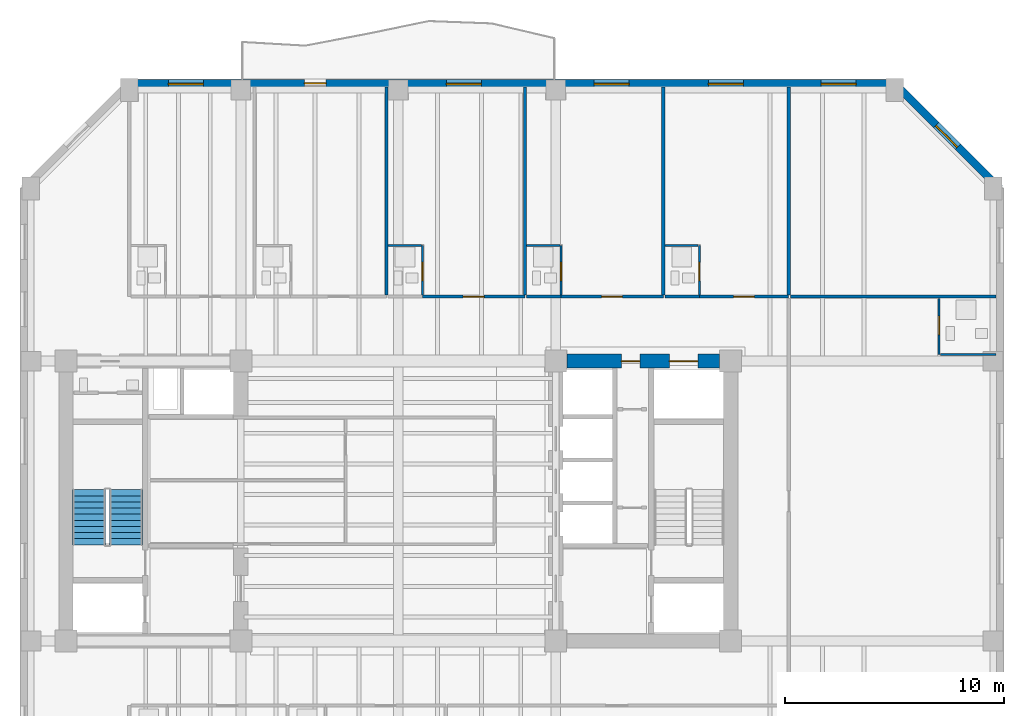
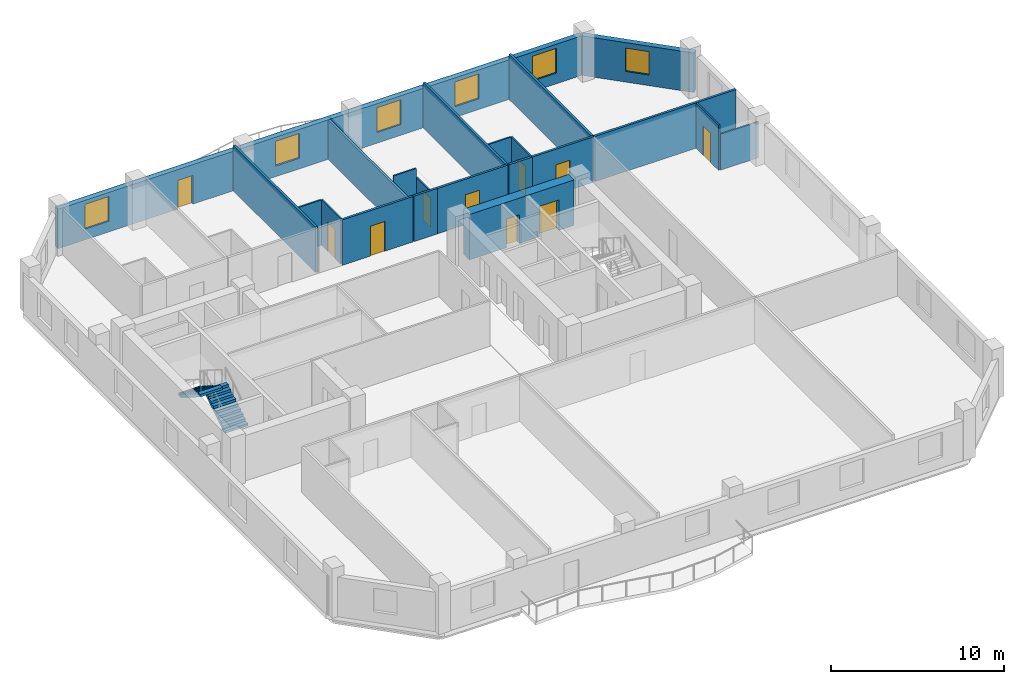
# One storey, part 5 of 10: 21 walls, 10 doors, 6 windows, 2 stair flights, 16 openings, 1 element without a shape of its own.
"""IFC4 building model written with IfcOpenShell, lengths in metres."""

from ifc_helpers import new_model, si_unit, direction, frame, frame_2d, origin, place, context, subcontext, project, spatial, polyline, rectangle, outline, extrude, material, layer, layer_set, type_object, element, fill, aggregate, save


model = new_model("IFC4")

# Units and contexts
model_context = context("Model", 3, precision=1e-05, world=origin(), true_north=direction((0.0, 1.0)))
body_context = subcontext(model_context, "Body", "Model", "MODEL_VIEW")
ifc_project = project(units=[si_unit("LENGTHUNIT", "METRE"), si_unit("AREAUNIT", "SQUARE_METRE"), si_unit("VOLUMEUNIT", "CUBIC_METRE"), si_unit("PLANEANGLEUNIT", "RADIAN"), si_unit("MASSUNIT", "GRAM", prefix="KILO")], contexts=[model_context])

# Site, building, storey
site_placement = place(None, origin())
site = spatial("IfcSite", under=ifc_project, at=site_placement, CompositionType="ELEMENT")
building_placement = place(site_placement, origin())
building = spatial("IfcBuilding", under=site, at=building_placement, Name="Kranthara Brick Stack", CompositionType="ELEMENT")
storey_placement = place(building_placement, frame((0.0, 0.0, 144.800048828125)))
storey = spatial("IfcBuildingStorey", under=building, at=storey_placement, Name="L36", CompositionType="ELEMENT", Elevation=144.800048828125)

# Wall, openings, door, windows
ifc_material_1 = material(Name="Kiln-fired clay brick masonry M15", Category="masonry")
ifc_layer_1 = layer(ifc_material_1, 0.35009765625)
ifc_layer_set_1 = layer_set([ifc_layer_1], Name="Kiln-fired clay brick masonry M15")
wall_type_1 = type_object("IfcWallType", Name="WL-BRK-SPND-350", PredefinedType="STANDARD", material=ifc_layer_set_1)
wall_1_placement = place(storey_placement, frame((15.699951171875, 46.304931640625, 0.0), z_axis=(0.0, 0.0, 1.0), x_axis=(1.0, 0.0, 0.0)))
wall_1 = element("IfcWall", 1, at=wall_1_placement, inside=storey, type_object=wall_type_1, Name="L36 Exterior Brick Facade Wall NORTH 1", PredefinedType="STANDARD", context=body_context, shape_type="SweptSolid", body=[
    extrude(rectangle(XDim=35.0, YDim=0.35009765625, at=frame_2d((17.5, 0.0))), origin(), (0.0, 0.0, 1.0), 2.784912109375),
])
opening_1_placement = place(wall_1_placement, frame((8.0, 0.0, 0.0)))
opening_1 = element("IfcOpeningElement", 2, at=opening_1_placement, cuts=wall_1, Name="Opening D03", PredefinedType="OPENING", context=body_context, shape_type="SweptSolid", body=[
    extrude(rectangle(XDim=1.0, YDim=2.02001953125, at=frame_2d((0.5, 1.010009765625))), frame((0.0, 0.18505859375, 0.0), z_axis=(0.0, -1.0, 0.0), x_axis=(1.0, 0.0, 0.0)), (0.0, 0.0, 1.0), 0.3701171875),
])
opening_2_placement = place(wall_1_placement, frame((1.7880859375, 0.0, 0.75)))
opening_2 = element("IfcOpeningElement", 3, at=opening_2_placement, cuts=wall_1, Name="Opening WN04", PredefinedType="OPENING", context=body_context, shape_type="SweptSolid", body=[
    extrude(rectangle(XDim=1.60009765625, YDim=1.75, at=frame_2d((0.800048828125, 0.875))), frame((0.0, 0.18505859375, 0.0), z_axis=(0.0, -1.0, 0.0), x_axis=(1.0, 0.0, 0.0)), (0.0, 0.0, 1.0), 0.3701171875),
])
opening_3_placement = place(wall_1_placement, frame((14.4951171875, 0.0, 0.75)))
opening_3 = element("IfcOpeningElement", 4, at=opening_3_placement, cuts=wall_1, Name="Opening WN04", PredefinedType="OPENING", context=body_context, shape_type="SweptSolid", body=[
    extrude(rectangle(XDim=1.60009765625, YDim=1.75, at=frame_2d((0.800048828125, 0.875))), frame((0.0, 0.18505859375, 0.0), z_axis=(0.0, -1.0, 0.0), x_axis=(1.0, 0.0, 0.0)), (0.0, 0.0, 1.0), 0.3701171875),
])
opening_4_placement = place(wall_1_placement, frame((21.260986328125, 0.0, 0.75)))
opening_4 = element("IfcOpeningElement", 5, at=opening_4_placement, cuts=wall_1, Name="Opening WN04", PredefinedType="OPENING", context=body_context, shape_type="SweptSolid", body=[
    extrude(rectangle(XDim=1.60009765625, YDim=1.75, at=frame_2d((0.800048828125, 0.875))), frame((0.0, 0.18505859375, 0.0), z_axis=(0.0, -1.0, 0.0), x_axis=(1.0, 0.0, 0.0)), (0.0, 0.0, 1.0), 0.3701171875),
])
opening_5_placement = place(wall_1_placement, frame((26.486083984375, 0.0, 0.75)))
opening_5 = element("IfcOpeningElement", 6, at=opening_5_placement, cuts=wall_1, Name="Opening WN04", PredefinedType="OPENING", context=body_context, shape_type="SweptSolid", body=[
    extrude(rectangle(XDim=1.60009765625, YDim=1.75, at=frame_2d((0.800048828125, 0.875))), frame((0.0, 0.18505859375, 0.0), z_axis=(0.0, -1.0, 0.0), x_axis=(1.0, 0.0, 0.0)), (0.0, 0.0, 1.0), 0.3701171875),
])
opening_6_placement = place(wall_1_placement, frame((31.636962890625, 0.0, 0.75)))
opening_6 = element("IfcOpeningElement", 7, at=opening_6_placement, cuts=wall_1, Name="Opening WN04", PredefinedType="OPENING", context=body_context, shape_type="SweptSolid", body=[
    extrude(rectangle(XDim=1.60009765625, YDim=1.75, at=frame_2d((0.800048828125, 0.875))), frame((0.0, 0.18505859375, 0.0), z_axis=(0.0, -1.0, 0.0), x_axis=(1.0, 0.0, 0.0)), (0.0, 0.0, 1.0), 0.3701171875),
])
ifc_material_2 = material(Name="Bronze anodised aluminium and laminated glass", Category="aluminium")
door_type_1 = type_object("IfcDoorType", Name="DR-BALC-1000", OperationType="NOTDEFINED", PredefinedType="DOOR", material=ifc_material_2)
door_1_placement = place(opening_1_placement, origin())
door_1 = element("IfcDoor", 8, at=door_1_placement, inside=storey, type_object=door_type_1, Name="L36 North Balcony Terrace Door", OperationType="SINGLE_SWING_RIGHT", OverallHeight=2.02001953125, OverallWidth=1.0, PredefinedType="DOOR", context=body_context, shape_type="SweptSolid", body=[
    extrude(rectangle(XDim=1.0, YDim=2.02001953125, at=frame_2d((0.5, 1.010009765625))), frame((0.0, 0.02490234375, 0.0), z_axis=(0.0, -1.0, 0.0), x_axis=(1.0, 0.0, 0.0)), (0.0, 0.0, 1.0), 0.050048828125),
])
fill(opening_1, door_1)
ifc_material_3 = material(Name="Double-glazed low-E solar control glass", Category="glass")
window_type_1 = type_object("IfcWindowType", Name="WN-HTL-1600x1850", PartitioningType="DOUBLE_PANEL_VERTICAL", PredefinedType="WINDOW", material=ifc_material_3)
window_1_placement = place(opening_2_placement, origin())
window_1 = element("IfcWindow", 9, at=window_1_placement, inside=storey, type_object=window_type_1, Name="L36 North Deep-Set Brick Window 01", OverallHeight=1.75, OverallWidth=1.60009765625, PartitioningType="SINGLE_PANEL", PredefinedType="WINDOW", context=body_context, shape_type="SweptSolid", body=[
    extrude(rectangle(XDim=1.60009765625, YDim=1.75, at=frame_2d((0.800048828125, 0.875))), frame((0.0, -0.010009765625, 0.0), z_axis=(0.0, -1.0, 0.0), x_axis=(1.0, 0.0, 0.0)), (0.0, 0.0, 1.0), 0.06005859375),
])
fill(opening_2, window_1)
window_2_placement = place(opening_3_placement, origin())
window_2 = element("IfcWindow", 10, at=window_2_placement, inside=storey, type_object=window_type_1, Name="L36 North Deep-Set Brick Window 02", OverallHeight=1.75, OverallWidth=1.60009765625, PartitioningType="SINGLE_PANEL", PredefinedType="WINDOW", context=body_context, shape_type="SweptSolid", body=[
    extrude(rectangle(XDim=1.60009765625, YDim=1.75, at=frame_2d((0.800048828125, 0.875))), frame((0.0, -0.010009765625, 0.0), z_axis=(0.0, -1.0, 0.0), x_axis=(1.0, 0.0, 0.0)), (0.0, 0.0, 1.0), 0.06005859375),
])
fill(opening_3, window_2)
window_3_placement = place(opening_4_placement, origin())
window_3 = element("IfcWindow", 11, at=window_3_placement, inside=storey, type_object=window_type_1, Name="L36 North Deep-Set Brick Window 03", OverallHeight=1.75, OverallWidth=1.60009765625, PartitioningType="SINGLE_PANEL", PredefinedType="WINDOW", context=body_context, shape_type="SweptSolid", body=[
    extrude(rectangle(XDim=1.60009765625, YDim=1.75, at=frame_2d((0.800048828125, 0.875))), frame((0.0, -0.010009765625, 0.0), z_axis=(0.0, -1.0, 0.0), x_axis=(1.0, 0.0, 0.0)), (0.0, 0.0, 1.0), 0.06005859375),
])
fill(opening_4, window_3)
window_4_placement = place(opening_5_placement, origin())
window_4 = element("IfcWindow", 12, at=window_4_placement, inside=storey, type_object=window_type_1, Name="L36 North Deep-Set Brick Window 04", OverallHeight=1.75, OverallWidth=1.60009765625, PartitioningType="SINGLE_PANEL", PredefinedType="WINDOW", context=body_context, shape_type="SweptSolid", body=[
    extrude(rectangle(XDim=1.60009765625, YDim=1.75, at=frame_2d((0.800048828125, 0.875))), frame((0.0, -0.010009765625, 0.0), z_axis=(0.0, -1.0, 0.0), x_axis=(1.0, 0.0, 0.0)), (0.0, 0.0, 1.0), 0.06005859375),
])
fill(opening_5, window_4)
window_5_placement = place(opening_6_placement, origin())
window_5 = element("IfcWindow", 13, at=window_5_placement, inside=storey, type_object=window_type_1, Name="L36 North Deep-Set Brick Window 05", OverallHeight=1.75, OverallWidth=1.60009765625, PartitioningType="SINGLE_PANEL", PredefinedType="WINDOW", context=body_context, shape_type="SweptSolid", body=[
    extrude(rectangle(XDim=1.60009765625, YDim=1.75, at=frame_2d((0.800048828125, 0.875))), frame((0.0, -0.010009765625, 0.0), z_axis=(0.0, -1.0, 0.0), x_axis=(1.0, 0.0, 0.0)), (0.0, 0.0, 1.0), 0.06005859375),
])
fill(opening_6, window_5)

# Wall, opening, window
wall_2_placement = place(storey_placement, frame((50.699951171875, 46.304931640625, 0.0), z_axis=(0.0, 0.0, 1.0), x_axis=(0.707106781187, -0.707106781187, 0.0)))
wall_2 = element("IfcWall", 14, at=wall_2_placement, inside=storey, type_object=wall_type_1, Name="L36 Exterior Brick Facade Wall NE 1", PredefinedType="STANDARD", context=body_context, shape_type="SweptSolid", body=[
    extrude(rectangle(XDim=6.795166015625, YDim=0.35009765625, at=frame_2d((3.3974609375, 0.0))), origin(), (0.0, 0.0, 1.0), 2.784912109375),
])
opening_7_placement = place(wall_2_placement, frame((2.697998046875, 0.0, 0.75)))
opening_7 = element("IfcOpeningElement", 15, at=opening_7_placement, cuts=wall_2, Name="Opening WN10", PredefinedType="OPENING", context=body_context, shape_type="SweptSolid", body=[
    extrude(rectangle(XDim=1.39990234375, YDim=1.64990234375, at=frame_2d((0.699951171875, 0.824951171875))), frame((0.0, 0.18505859375, 0.0), z_axis=(0.0, -1.0, 0.0), x_axis=(1.0, 0.0, 0.0)), (0.0, 0.0, 1.0), 0.3701171875),
])
ifc_material_4 = material(Name="Double-glazed low-E solar control glass", Category="glass")
window_type_2 = type_object("IfcWindowType", Name="WN-CHM-1400x1750", PartitioningType="SINGLE_PANEL", PredefinedType="WINDOW", material=ifc_material_4)
window_6_placement = place(opening_7_placement, origin())
window_6 = element("IfcWindow", 16, at=window_6_placement, inside=storey, type_object=window_type_2, Name="L36 NE Chamfer Corner Window", OverallHeight=1.64990234375, OverallWidth=1.39990234375, PartitioningType="SINGLE_PANEL", PredefinedType="WINDOW", context=body_context, shape_type="SweptSolid", body=[
    extrude(rectangle(XDim=1.39990234375, YDim=1.64990234375, at=frame_2d((0.699951171875, 0.824951171875))), frame((0.0, -0.010009765625, 0.0), z_axis=(0.0, -1.0, 0.0), x_axis=(1.0, 0.0, 0.0)), (0.0, 0.0, 1.0), 0.06005859375),
])
fill(opening_7, window_6)

# Wall, openings, doors
ifc_material_5 = material(Name="Concrete C60/75", Category="concrete")
ifc_layer_2 = layer(ifc_material_5, 0.64990234375)
ifc_layer_set_2 = layer_set([ifc_layer_2], Name="Concrete C60/75")
wall_type_2 = type_object("IfcWallType", Name="WL-CORE-650", PredefinedType="SHEAR", material=ifc_layer_set_2)
wall_3_placement = place(storey_placement, frame((35.705078125, 33.60009765625, 0.0), z_axis=(0.0, 0.0, 1.0), x_axis=(1.0, 0.0, 0.0)))
wall_3 = element("IfcWall", 17, at=wall_3_placement, inside=storey, type_object=wall_type_2, Name="L36 East Core Shear Wall North", PredefinedType="SHEAR", context=body_context, shape_type="SweptSolid", body=[
    extrude(rectangle(XDim=6.989990234375, YDim=0.64990234375, at=frame_2d((3.4951171875, 0.0))), origin(), (0.0, 0.0, 1.0), 3.199951171875),
])
opening_8_placement = place(wall_3_placement, frame((4.695068359375, 0.0, 0.0)))
opening_8 = element("IfcOpeningElement", 18, at=opening_8_placement, cuts=wall_3, Name="Opening LD03", PredefinedType="OPENING", context=body_context, shape_type="SweptSolid", body=[
    extrude(rectangle(XDim=1.300048828125, YDim=2.14990234375, at=frame_2d((0.64990234375, 1.074951171875))), frame((0.0, 0.3349609375, 0.0), z_axis=(0.0, -1.0, 0.0), x_axis=(1.0, 0.0, 0.0)), (0.0, 0.0, 1.0), 0.669921875),
])
opening_9_placement = place(wall_3_placement, frame((2.4951171875, 0.0, 0.0)))
opening_9 = element("IfcOpeningElement", 19, at=opening_9_placement, cuts=wall_3, Name="Opening D10", PredefinedType="OPENING", context=body_context, shape_type="SweptSolid", body=[
    extrude(rectangle(XDim=0.85009765625, YDim=2.02001953125, at=frame_2d((0.425048828125, 1.010009765625))), frame((0.0, 0.3349609375, 0.0), z_axis=(0.0, -1.0, 0.0), x_axis=(1.0, 0.0, 0.0)), (0.0, 0.0, 1.0), 0.669921875),
])
ifc_material_6 = material(Name="Stainless steel sliding landing door", Category="steel")
door_type_2 = type_object("IfcDoorType", Name="DR-LD-SV1300", OperationType="DOUBLE_DOOR_SLIDING", PredefinedType="DOOR", material=ifc_material_6)
door_2_placement = place(opening_8_placement, origin())
door_2 = element("IfcDoor", 20, at=door_2_placement, inside=storey, type_object=door_type_2, Name="L36 Stretcher Service Lift SV-01 Landing Door", OperationType="DOUBLE_DOOR_SLIDING", OverallHeight=2.14990234375, OverallWidth=1.300048828125, PredefinedType="DOOR", context=body_context, shape_type="SweptSolid", body=[
    extrude(rectangle(XDim=1.300048828125, YDim=2.14990234375, at=frame_2d((0.64990234375, 1.074951171875))), frame((0.0, 0.02490234375, 0.0), z_axis=(0.0, -1.0, 0.0), x_axis=(1.0, 0.0, 0.0)), (0.0, 0.0, 1.0), 0.050048828125),
])
fill(opening_8, door_2)
ifc_material_7 = material(Name="Solid-core hardwood timber leaf in steel frame", Category="steel")
door_type_3 = type_object("IfcDoorType", Name="DR-RSR-850", OperationType="NOTDEFINED", PredefinedType="DOOR", material=ifc_material_7)
door_3_placement = place(opening_9_placement, origin())
door_3 = element("IfcDoor", 21, at=door_3_placement, inside=storey, type_object=door_type_3, Name="L36 East Core Service Room Door", OperationType="SINGLE_SWING_LEFT", OverallHeight=2.02001953125, OverallWidth=0.85009765625, PredefinedType="DOOR", context=body_context, shape_type="SweptSolid", body=[
    extrude(rectangle(XDim=0.85009765625, YDim=2.02001953125, at=frame_2d((0.425048828125, 1.010009765625))), frame((0.0, 0.02490234375, 0.0), z_axis=(0.0, -1.0, 0.0), x_axis=(1.0, 0.0, 0.0)), (0.0, 0.0, 1.0), 0.050048828125),
])
fill(opening_9, door_3)

# Wall, opening, door
ifc_material_8 = material(Name="Moisture-resistant wet-room partition", Category="other")
ifc_layer_3 = layer(ifc_material_8, 0.10009765625)
ifc_layer_set_3 = layer_set([ifc_layer_3], Name="Moisture-resistant wet-room partition")
wall_type_3 = type_object("IfcWallType", Name="WL-PART-100", PredefinedType="PARTITIONING", material=ifc_layer_set_3)
wall_4_placement = place(storey_placement, frame((29.10888671875, 36.6298828125, 0.0), z_axis=(0.0, 0.0, 1.0), x_axis=(0.0, 1.0, 0.0)))
wall_4 = element("IfcWall", 22, at=wall_4_placement, inside=storey, type_object=wall_type_3, Name="L36 Interior Partition 035", PredefinedType="PARTITIONING", context=body_context, shape_type="SweptSolid", body=[
    extrude(rectangle(XDim=2.25, YDim=0.10009765625, at=frame_2d((1.125, 0.0))), origin(), (0.0, 0.0, 1.0), 3.199951171875),
])
opening_10_placement = place(wall_4_placement, frame((0.639892578125, 0.0, 0.0)))
opening_10 = element("IfcOpeningElement", 23, at=opening_10_placement, cuts=wall_4, Name="Opening D17", PredefinedType="OPENING", context=body_context, shape_type="SweptSolid", body=[
    extrude(rectangle(XDim=0.85009765625, YDim=2.050048828125, at=frame_2d((0.425048828125, 1.02490234375))), frame((0.0, 0.06005859375, 0.0), z_axis=(0.0, -1.0, 0.0), x_axis=(1.0, 0.0, 0.0)), (0.0, 0.0, 1.0), 0.1201171875),
])
ifc_material_9 = material(Name="Solid-core hardwood timber leaf in steel frame", Category="steel")
door_type_4 = type_object("IfcDoorType", Name="DR-WET-850", OperationType="NOTDEFINED", PredefinedType="DOOR", material=ifc_material_9)
door_4_placement = place(opening_10_placement, origin())
door_4 = element("IfcDoor", 24, at=door_4_placement, inside=storey, type_object=door_type_4, Name="L36 Key 06 En-Suite Door 16", OperationType="SINGLE_SWING_RIGHT", OverallHeight=2.050048828125, OverallWidth=0.85009765625, PredefinedType="DOOR", context=body_context, shape_type="SweptSolid", body=[
    extrude(rectangle(XDim=0.85009765625, YDim=2.050048828125, at=frame_2d((0.425048828125, 1.02490234375))), frame((0.0, 0.02490234375, 0.0), z_axis=(0.0, -1.0, 0.0), x_axis=(1.0, 0.0, 0.0)), (0.0, 0.0, 1.0), 0.050048828125),
])
fill(opening_10, door_4)

# Wall
wall_5_placement = place(storey_placement, frame((27.5390625, 38.8798828125, 0.0), z_axis=(0.0, 0.0, 1.0), x_axis=(1.0, 0.0, 0.0)))
element("IfcWall", 25, at=wall_5_placement, inside=storey, type_object=wall_type_3, Name="L36 Interior Partition 036", PredefinedType="PARTITIONING", context=body_context, shape_type="SweptSolid", body=[
    extrude(rectangle(XDim=1.514892578125, YDim=0.10009765625, at=frame_2d((0.75732421875, 0.0))), origin(), (0.0, 0.0, 1.0), 3.199951171875),
])

# Wall, opening, door
wall_6_placement = place(storey_placement, frame((35.43994140625, 36.6298828125, 0.0), z_axis=(0.0, 0.0, 1.0), x_axis=(0.0, 1.0, 0.0)))
wall_6 = element("IfcWall", 26, at=wall_6_placement, inside=storey, type_object=wall_type_3, Name="L36 Interior Partition 040", PredefinedType="PARTITIONING", context=body_context, shape_type="SweptSolid", body=[
    extrude(rectangle(XDim=2.25, YDim=0.10009765625, at=frame_2d((1.125, 0.0))), origin(), (0.0, 0.0, 1.0), 2.534912109375),
])
opening_11_placement = place(wall_6_placement, frame((0.639892578125, 0.0, 0.0)))
opening_11 = element("IfcOpeningElement", 27, at=opening_11_placement, cuts=wall_6, Name="Opening D17", PredefinedType="OPENING", context=body_context, shape_type="SweptSolid", body=[
    extrude(rectangle(XDim=0.85009765625, YDim=2.050048828125, at=frame_2d((0.425048828125, 1.02490234375))), frame((0.0, 0.06005859375, 0.0), z_axis=(0.0, -1.0, 0.0), x_axis=(1.0, 0.0, 0.0)), (0.0, 0.0, 1.0), 0.1201171875),
])
door_5_placement = place(opening_11_placement, origin())
door_5 = element("IfcDoor", 28, at=door_5_placement, inside=storey, type_object=door_type_4, Name="L36 Key 07 En-Suite Door 18", OperationType="SINGLE_SWING_RIGHT", OverallHeight=2.050048828125, OverallWidth=0.85009765625, PredefinedType="DOOR", context=body_context, shape_type="SweptSolid", body=[
    extrude(rectangle(XDim=0.85009765625, YDim=2.050048828125, at=frame_2d((0.425048828125, 1.02490234375))), frame((0.0, 0.02490234375, 0.0), z_axis=(0.0, -1.0, 0.0), x_axis=(1.0, 0.0, 0.0)), (0.0, 0.0, 1.0), 0.050048828125),
])
fill(opening_11, door_5)

# Wall
wall_7_placement = place(storey_placement, frame((33.8701171875, 38.8798828125, 0.0), z_axis=(0.0, 0.0, 1.0), x_axis=(1.0, 0.0, 0.0)))
element("IfcWall", 29, at=wall_7_placement, inside=storey, type_object=wall_type_3, Name="L36 Interior Partition 041", PredefinedType="PARTITIONING", context=body_context, shape_type="SweptSolid", body=[
    extrude(rectangle(XDim=1.514892578125, YDim=0.10009765625, at=frame_2d((0.75732421875, 0.0))), origin(), (0.0, 0.0, 1.0), 3.199951171875),
])

# Wall, opening, door
wall_8_placement = place(storey_placement, frame((41.77099609375, 36.6298828125, 0.0), z_axis=(0.0, 0.0, 1.0), x_axis=(0.0, 1.0, 0.0)))
wall_8 = element("IfcWall", 30, at=wall_8_placement, inside=storey, type_object=wall_type_3, Name="L36 Interior Partition 045", PredefinedType="PARTITIONING", context=body_context, shape_type="SweptSolid", body=[
    extrude(rectangle(XDim=2.25, YDim=0.10009765625, at=frame_2d((1.125, 0.0))), origin(), (0.0, 0.0, 1.0), 3.199951171875),
])
opening_12_placement = place(wall_8_placement, frame((0.639892578125, 0.0, 0.0)))
opening_12 = element("IfcOpeningElement", 31, at=opening_12_placement, cuts=wall_8, Name="Opening D17", PredefinedType="OPENING", context=body_context, shape_type="SweptSolid", body=[
    extrude(rectangle(XDim=0.85009765625, YDim=2.050048828125, at=frame_2d((0.425048828125, 1.02490234375))), frame((0.0, 0.06005859375, 0.0), z_axis=(0.0, -1.0, 0.0), x_axis=(1.0, 0.0, 0.0)), (0.0, 0.0, 1.0), 0.1201171875),
])
door_6_placement = place(opening_12_placement, origin())
door_6 = element("IfcDoor", 32, at=door_6_placement, inside=storey, type_object=door_type_4, Name="L36 Key 08 En-Suite Door 20", OperationType="SINGLE_SWING_RIGHT", OverallHeight=2.050048828125, OverallWidth=0.85009765625, PredefinedType="DOOR", context=body_context, shape_type="SweptSolid", body=[
    extrude(rectangle(XDim=0.85009765625, YDim=2.050048828125, at=frame_2d((0.425048828125, 1.02490234375))), frame((0.0, 0.02490234375, 0.0), z_axis=(0.0, -1.0, 0.0), x_axis=(1.0, 0.0, 0.0)), (0.0, 0.0, 1.0), 0.050048828125),
])
fill(opening_12, door_6)

# Wall
wall_9_placement = place(storey_placement, frame((40.200927734375, 38.8798828125, 0.0), z_axis=(0.0, 0.0, 1.0), x_axis=(1.0, 0.0, 0.0)))
element("IfcWall", 33, at=wall_9_placement, inside=storey, type_object=wall_type_3, Name="L36 Interior Partition 046", PredefinedType="PARTITIONING", context=body_context, shape_type="SweptSolid", body=[
    extrude(rectangle(XDim=1.51513671875, YDim=0.10009765625, at=frame_2d((0.757568359375, 0.0))), origin(), (0.0, 0.0, 1.0), 3.199951171875),
])

# Wall, opening, door
wall_10_placement = place(storey_placement, frame((52.72998046875, 33.89990234375, 0.0), z_axis=(0.0, 0.0, 1.0), x_axis=(0.0, 1.0, 0.0)))
wall_10 = element("IfcWall", 34, at=wall_10_placement, inside=storey, type_object=wall_type_3, Name="L36 Interior Partition 051", PredefinedType="PARTITIONING", context=body_context, shape_type="SweptSolid", body=[
    extrude(rectangle(XDim=2.570068359375, YDim=0.10009765625, at=frame_2d((1.28515625, 0.0))), origin(), (0.0, 0.0, 1.0), 3.199951171875),
])
opening_13_placement = place(wall_10_placement, frame((0.905029296875, 0.0, 0.0)))
opening_13 = element("IfcOpeningElement", 35, at=opening_13_placement, cuts=wall_10, Name="Opening D17", PredefinedType="OPENING", context=body_context, shape_type="SweptSolid", body=[
    extrude(rectangle(XDim=0.85009765625, YDim=2.050048828125, at=frame_2d((0.425048828125, 1.02490234375))), frame((0.0, 0.06005859375, 0.0), z_axis=(0.0, -1.0, 0.0), x_axis=(1.0, 0.0, 0.0)), (0.0, 0.0, 1.0), 0.1201171875),
])
door_7_placement = place(opening_13_placement, origin())
door_7 = element("IfcDoor", 36, at=door_7_placement, inside=storey, type_object=door_type_4, Name="L36 East Key 9 Bath 22", OperationType="SINGLE_SWING_RIGHT", OverallHeight=2.050048828125, OverallWidth=0.85009765625, PredefinedType="DOOR", context=body_context, shape_type="SweptSolid", body=[
    extrude(rectangle(XDim=0.85009765625, YDim=2.050048828125, at=frame_2d((0.425048828125, 1.02490234375))), frame((0.0, 0.02490234375, 0.0), z_axis=(0.0, -1.0, 0.0), x_axis=(1.0, 0.0, 0.0)), (0.0, 0.0, 1.0), 0.050048828125),
])
fill(opening_13, door_7)

# Walls
wall_11_placement = place(storey_placement, frame((52.784912109375, 33.89990234375, 0.0), z_axis=(0.0, 0.0, 1.0), x_axis=(1.0, 0.0, 0.0)))
element("IfcWall", 37, at=wall_11_placement, inside=storey, type_object=wall_type_3, Name="L36 Interior Partition 052", PredefinedType="PARTITIONING", context=body_context, shape_type="SweptSolid", body=[
    extrude(rectangle(XDim=2.5400390625, YDim=0.10009765625, at=frame_2d((1.27001953125, 0.0))), origin(), (0.0, 0.0, 1.0), 2.534912109375),
])
ifc_material_10 = material(Name="Fire-rated gypsum board partition", Category="other")
ifc_layer_4 = layer(ifc_material_10, 0.14990234375)
ifc_layer_set_4 = layer_set([ifc_layer_4], Name="Fire-rated gypsum board partition")
wall_type_4 = type_object("IfcWallType", Name="WL-PART-150", PredefinedType="PARTITIONING", material=ifc_layer_set_4)
wall_12_placement = place(storey_placement, frame((27.458984375, 36.6298828125, 0.0), z_axis=(0.0, 0.0, 1.0), x_axis=(0.0, 1.0, 0.0)))
element("IfcWall", 38, at=wall_12_placement, inside=storey, type_object=wall_type_4, Name="L36 Interior Partition 032", PredefinedType="PARTITIONING", context=body_context, shape_type="SweptSolid", body=[
    extrude(rectangle(XDim=9.4951171875, YDim=0.14990234375, at=frame_2d((4.74755859375, 0.0))), origin(), (0.0, 0.0, 1.0), 3.199951171875),
])

# Wall, opening, door
wall_13_placement = place(storey_placement, frame((29.10888671875, 36.550048828125, 0.0), z_axis=(0.0, 0.0, 1.0), x_axis=(1.0, 0.0, 0.0)))
wall_13 = element("IfcWall", 39, at=wall_13_placement, inside=storey, type_object=wall_type_4, Name="L36 Interior Partition 034", PredefinedType="PARTITIONING", context=body_context, shape_type="SweptSolid", body=[
    extrude(rectangle(XDim=4.68115234375, YDim=0.14990234375, at=frame_2d((2.340576171875, 0.0))), origin(), (0.0, 0.0, 1.0), 3.199951171875),
])
opening_14_placement = place(wall_13_placement, frame((1.861083984375, 0.0, 0.0)))
opening_14 = element("IfcOpeningElement", 40, at=opening_14_placement, cuts=wall_13, Name="Opening D09", PredefinedType="OPENING", context=body_context, shape_type="SweptSolid", body=[
    extrude(rectangle(XDim=0.949951171875, YDim=2.10009765625, at=frame_2d((0.47509765625, 1.050048828125))), frame((0.0, 0.0849609375, 0.0), z_axis=(0.0, -1.0, 0.0), x_axis=(1.0, 0.0, 0.0)), (0.0, 0.0, 1.0), 0.169921875),
])
ifc_material_11 = material(Name="Solid-core hardwood timber leaf in steel frame", Category="steel")
door_type_5 = type_object("IfcDoorType", Name="DR-FD-950", OperationType="NOTDEFINED", PredefinedType="DOOR", material=ifc_material_11)
door_8_placement = place(opening_14_placement, origin())
door_8 = element("IfcDoor", 41, at=door_8_placement, inside=storey, type_object=door_type_5, Name="L36 Key 06 Entry 17", OperationType="SINGLE_SWING_LEFT", OverallHeight=2.10009765625, OverallWidth=0.949951171875, PredefinedType="DOOR", context=body_context, shape_type="SweptSolid", body=[
    extrude(rectangle(XDim=0.949951171875, YDim=2.10009765625, at=frame_2d((0.47509765625, 1.050048828125))), frame((0.0, 0.02490234375, 0.0), z_axis=(0.0, -1.0, 0.0), x_axis=(1.0, 0.0, 0.0)), (0.0, 0.0, 1.0), 0.050048828125),
])
fill(opening_14, door_8)

# Walls
wall_14_placement = place(storey_placement, frame((33.7900390625, 36.6298828125, 0.0), z_axis=(0.0, 0.0, 1.0), x_axis=(0.0, 1.0, 0.0)))
element("IfcWall", 42, at=wall_14_placement, inside=storey, type_object=wall_type_4, Name="L36 Interior Partition 037", PredefinedType="PARTITIONING", context=body_context, shape_type="SweptSolid", body=[
    extrude(rectangle(XDim=9.4951171875, YDim=0.14990234375, at=frame_2d((4.74755859375, 0.0))), origin(), (0.0, 0.0, 1.0), 2.784912109375),
])
wall_15_placement = place(storey_placement, frame((33.8701171875, 36.550048828125, 0.0), z_axis=(0.0, 0.0, 1.0), x_axis=(1.0, 0.0, 0.0)))
element("IfcWall", 43, at=wall_15_placement, inside=storey, type_object=wall_type_4, Name="L36 Interior Partition 038", PredefinedType="PARTITIONING", context=body_context, shape_type="SweptSolid", body=[
    extrude(rectangle(XDim=1.56982421875, YDim=0.14990234375, at=frame_2d((0.784912109375, 0.0))), origin(), (0.0, 0.0, 1.0), 3.199951171875),
])

# Wall, opening, door
wall_16_placement = place(storey_placement, frame((35.43994140625, 36.550048828125, 0.0), z_axis=(0.0, 0.0, 1.0), x_axis=(1.0, 0.0, 0.0)))
wall_16 = element("IfcWall", 44, at=wall_16_placement, inside=storey, type_object=wall_type_4, Name="L36 Interior Partition 039", PredefinedType="PARTITIONING", context=body_context, shape_type="SweptSolid", body=[
    extrude(rectangle(XDim=4.68115234375, YDim=0.14990234375, at=frame_2d((2.340576171875, 0.0))), origin(), (0.0, 0.0, 1.0), 3.199951171875),
])
opening_15_placement = place(wall_16_placement, frame((1.861083984375, 0.0, 0.0)))
opening_15 = element("IfcOpeningElement", 45, at=opening_15_placement, cuts=wall_16, Name="Opening D09", PredefinedType="OPENING", context=body_context, shape_type="SweptSolid", body=[
    extrude(rectangle(XDim=0.949951171875, YDim=2.10009765625, at=frame_2d((0.47509765625, 1.050048828125))), frame((0.0, 0.0849609375, 0.0), z_axis=(0.0, -1.0, 0.0), x_axis=(1.0, 0.0, 0.0)), (0.0, 0.0, 1.0), 0.169921875),
])
door_9_placement = place(opening_15_placement, origin())
door_9 = element("IfcDoor", 46, at=door_9_placement, inside=storey, type_object=door_type_5, Name="L36 Key 07 Entry 19", OperationType="SINGLE_SWING_LEFT", OverallHeight=2.10009765625, OverallWidth=0.949951171875, PredefinedType="DOOR", context=body_context, shape_type="SweptSolid", body=[
    extrude(rectangle(XDim=0.949951171875, YDim=2.10009765625, at=frame_2d((0.47509765625, 1.050048828125))), frame((0.0, 0.02490234375, 0.0), z_axis=(0.0, -1.0, 0.0), x_axis=(1.0, 0.0, 0.0)), (0.0, 0.0, 1.0), 0.050048828125),
])
fill(opening_15, door_9)

# Walls
wall_17_placement = place(storey_placement, frame((40.12109375, 36.6298828125, 0.0), z_axis=(0.0, 0.0, 1.0), x_axis=(0.0, 1.0, 0.0)))
element("IfcWall", 47, at=wall_17_placement, inside=storey, type_object=wall_type_4, Name="L36 Interior Partition 042", PredefinedType="PARTITIONING", context=body_context, shape_type="SweptSolid", body=[
    extrude(rectangle(XDim=9.4951171875, YDim=0.14990234375, at=frame_2d((4.74755859375, 0.0))), origin(), (0.0, 0.0, 1.0), 3.199951171875),
])
wall_18_placement = place(storey_placement, frame((40.200927734375, 36.550048828125, 0.0), z_axis=(0.0, 0.0, 1.0), x_axis=(1.0, 0.0, 0.0)))
element("IfcWall", 48, at=wall_18_placement, inside=storey, type_object=wall_type_4, Name="L36 Interior Partition 043", PredefinedType="PARTITIONING", context=body_context, shape_type="SweptSolid", body=[
    extrude(rectangle(XDim=1.570068359375, YDim=0.14990234375, at=frame_2d((0.78515625, 0.0))), origin(), (0.0, 0.0, 1.0), 3.199951171875),
])

# Wall, opening, door
wall_19_placement = place(storey_placement, frame((41.77099609375, 36.550048828125, 0.0), z_axis=(0.0, 0.0, 1.0), x_axis=(1.0, 0.0, 0.0)))
wall_19 = element("IfcWall", 49, at=wall_19_placement, inside=storey, type_object=wall_type_4, Name="L36 Interior Partition 044", PredefinedType="PARTITIONING", context=body_context, shape_type="SweptSolid", body=[
    extrude(rectangle(XDim=4.0791015625, YDim=0.14990234375, at=frame_2d((2.03955078125, 0.0))), origin(), (0.0, 0.0, 1.0), 3.199951171875),
])
opening_16_placement = place(wall_19_placement, frame((1.56005859375, 0.0, 0.0)))
opening_16 = element("IfcOpeningElement", 50, at=opening_16_placement, cuts=wall_19, Name="Opening D09", PredefinedType="OPENING", context=body_context, shape_type="SweptSolid", body=[
    extrude(rectangle(XDim=0.949951171875, YDim=2.10009765625, at=frame_2d((0.47509765625, 1.050048828125))), frame((0.0, 0.0849609375, 0.0), z_axis=(0.0, -1.0, 0.0), x_axis=(1.0, 0.0, 0.0)), (0.0, 0.0, 1.0), 0.169921875),
])
door_10_placement = place(opening_16_placement, origin())
door_10 = element("IfcDoor", 51, at=door_10_placement, inside=storey, type_object=door_type_5, Name="L36 Key 08 Entry 21", OperationType="SINGLE_SWING_LEFT", OverallHeight=2.10009765625, OverallWidth=0.949951171875, PredefinedType="DOOR", context=body_context, shape_type="SweptSolid", body=[
    extrude(rectangle(XDim=0.949951171875, YDim=2.10009765625, at=frame_2d((0.47509765625, 1.050048828125))), frame((0.0, 0.02490234375, 0.0), z_axis=(0.0, -1.0, 0.0), x_axis=(1.0, 0.0, 0.0)), (0.0, 0.0, 1.0), 0.050048828125),
])
fill(opening_16, door_10)

# Walls
wall_20_placement = place(storey_placement, frame((45.85009765625, 36.6298828125, 0.0), z_axis=(0.0, 0.0, 1.0), x_axis=(0.0, 1.0, 0.0)))
element("IfcWall", 52, at=wall_20_placement, inside=storey, type_object=wall_type_4, Name="L36 Interior Partition 047", PredefinedType="PARTITIONING", context=body_context, shape_type="SweptSolid", body=[
    extrude(rectangle(XDim=9.4951171875, YDim=0.14990234375, at=frame_2d((4.74755859375, 0.0))), origin(), (0.0, 0.0, 1.0), 3.199951171875),
])
wall_21_placement = place(storey_placement, frame((45.929931640625, 36.550048828125, 0.0), z_axis=(0.0, 0.0, 1.0), x_axis=(1.0, 0.0, 0.0)))
element("IfcWall", 53, at=wall_21_placement, inside=storey, type_object=wall_type_4, Name="L36 Interior Partition 049", PredefinedType="PARTITIONING", context=body_context, shape_type="SweptSolid", body=[
    extrude(rectangle(XDim=9.39501953125, YDim=0.14990234375, at=frame_2d((4.697509765625, 0.0))), origin(), (0.0, 0.0, 1.0), 3.199951171875),
])

# Stair, stair flights
ifc_material_12 = material(Name="Concrete C45/55", Category="concrete")
stair_type = type_object("IfcStairType", Name="ST-CORE-20R", PredefinedType="HALF_TURN_STAIR", material=ifc_material_12)
stair_placement = place(storey_placement, origin())
stair = element("IfcStair", 54, at=stair_placement, inside=storey, type_object=stair_type, Name="L36 West Core Protected Exit Stair ST01", PredefinedType="HALF_TURN_STAIR")
ifc_material_13 = material(Name="Concrete C45/55", Category="concrete")
stair_flight_type = type_object("IfcStairFlightType", Name="SFL-RC-20R", PredefinedType="STRAIGHT", material=ifc_material_13)
stair_flight_1_placement = place(storey_placement, frame((15.550048828125, 25.199951171875, 0.0), z_axis=(0.0, 0.0, 1.0), x_axis=(0.0, 1.0, 0.0)))
stair_flight_1 = element("IfcStairFlight", 55, at=stair_flight_1_placement, type_object=stair_flight_type, Name="ST01 flight 1", NumberOfRisers=10, NumberOfTreads=9, PredefinedType="STRAIGHT", RiserHeight=0.175, TreadLength=0.28, context=body_context, shape_type="SweptSolid", body=[
    extrude(outline(polyline([(0.0, 0.0), (0.0, 0.175048828125), (0.280029296875, 0.175048828125), (0.280029296875, 0.35009765625), (0.56005859375, 0.35009765625), (0.56005859375, 0.52490234375), (0.840087890625, 0.52490234375), (0.840087890625, 0.699951171875), (1.1201171875, 0.699951171875), (1.1201171875, 0.875), (1.39990234375, 0.875), (1.39990234375, 1.050048828125), (1.679931640625, 1.050048828125), (1.679931640625, 1.22509765625), (1.9599609375, 1.22509765625), (1.9599609375, 1.39990234375), (2.239990234375, 1.39990234375), (2.239990234375, 1.574951171875), (2.52001953125, 1.574951171875), (2.52001953125, 1.75), (2.52001953125, 1.398193359375), (0.28271484375, 0.0), (0.0, 0.0)])), frame((0.0, 0.75, 0.0), z_axis=(0.0, -1.0, 0.0), x_axis=(1.0, 0.0, 0.0)), (0.0, 0.0, 1.0), 1.5),
])
stair_flight_2_placement = place(storey_placement, frame((13.85009765625, 27.719970703125, 1.75), z_axis=(0.0, 0.0, 1.0), x_axis=(0.0, -1.0, 0.0)))
stair_flight_2 = element("IfcStairFlight", 56, at=stair_flight_2_placement, type_object=stair_flight_type, Name="ST01 flight 2", NumberOfRisers=10, NumberOfTreads=9, PredefinedType="STRAIGHT", RiserHeight=0.175, TreadLength=0.28, context=body_context, shape_type="SweptSolid", body=[
    extrude(outline(polyline([(0.0, 0.0), (0.0, 0.175048828125), (0.280029296875, 0.175048828125), (0.280029296875, 0.35009765625), (0.56005859375, 0.35009765625), (0.56005859375, 0.52490234375), (0.840087890625, 0.52490234375), (0.840087890625, 0.699951171875), (1.1201171875, 0.699951171875), (1.1201171875, 0.875), (1.39990234375, 0.875), (1.39990234375, 1.050048828125), (1.679931640625, 1.050048828125), (1.679931640625, 1.22509765625), (1.9599609375, 1.22509765625), (1.9599609375, 1.39990234375), (2.239990234375, 1.39990234375), (2.239990234375, 1.574951171875), (2.52001953125, 1.574951171875), (2.52001953125, 1.75), (2.52001953125, 1.398193359375), (0.28271484375, 0.0), (0.0, 0.0)])), frame((0.0, 0.75, 0.0), z_axis=(0.0, -1.0, 0.0), x_axis=(1.0, 0.0, 0.0)), (0.0, 0.0, 1.0), 1.5),
])
aggregate(stair, [stair_flight_1, stair_flight_2])

save(model, "model.ifc")
